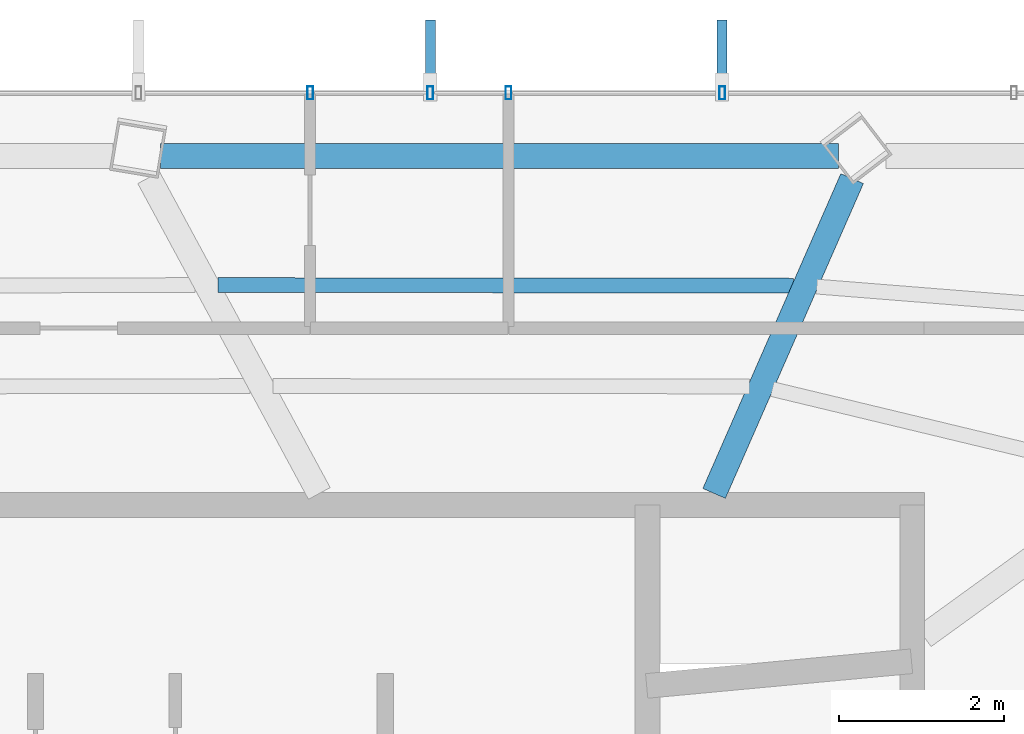
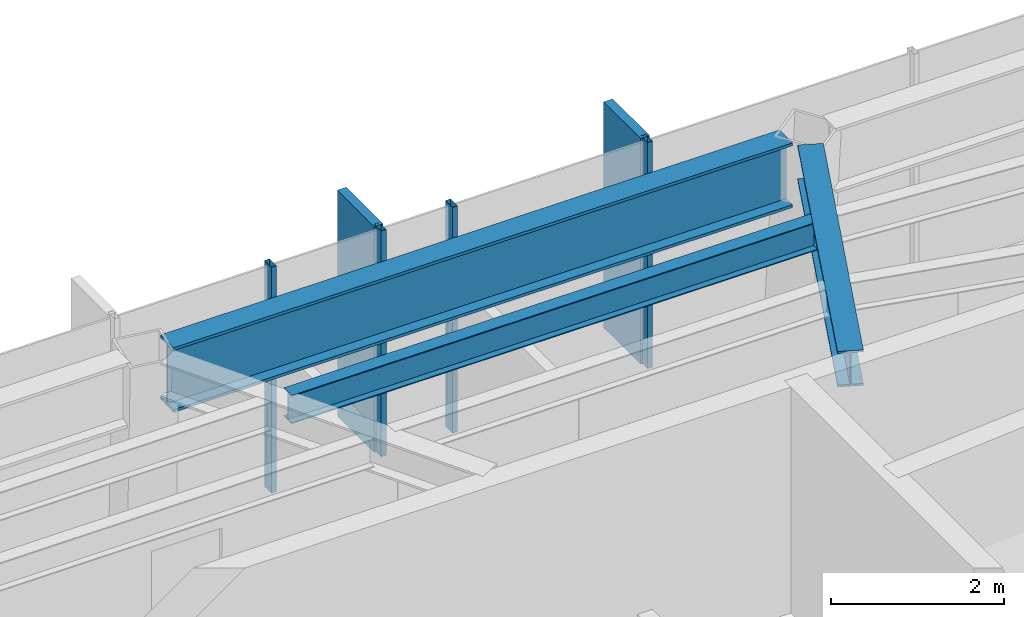
# One storey, part 15 of 27: 6 members, 3 beams, 1 element without a shape of its own.
"""IFC4 building model written with IfcOpenShell, lengths in metres."""

from ifc_helpers import new_model, si_unit, direction, frame, origin, origin_2d, place, context, subcontext, project, spatial, rectangle, hollow_rectangle, i_section, extrude, material, layer, layer_set, material_profile, profile_set, type_object, element, aggregate, save


model = new_model("IFC4")

# Units and contexts
model_context = context("Model", 3, precision=1e-05, world=origin(), true_north=direction((0.0, 1.0)))
body_context = subcontext(model_context, "Body", "Model", "MODEL_VIEW")
ifc_project = project(units=[si_unit("LENGTHUNIT", "METRE"), si_unit("AREAUNIT", "SQUARE_METRE"), si_unit("VOLUMEUNIT", "CUBIC_METRE"), si_unit("PLANEANGLEUNIT", "RADIAN"), si_unit("MASSUNIT", "GRAM", prefix="KILO")], contexts=[model_context])

# Site, building, storey
site_placement = place(None, origin())
site = spatial("IfcSite", under=ifc_project, at=site_placement, CompositionType="ELEMENT")
building_placement = place(site_placement, origin())
building = spatial("IfcBuilding", under=site, at=building_placement, Name="Zarrinselat Tower", CompositionType="ELEMENT")
storey_placement = place(building_placement, frame((0.0, 0.0, 215.56005859375)))
storey = spatial("IfcBuildingStorey", under=building, at=storey_placement, Name="L53", CompositionType="ELEMENT", Elevation=215.56005859375)

# Beams
ifc_material_1 = material(Name="Steel S355J2", Category="steel")
ifc_material_profile_1 = material_profile(ifc_material_1, i_section(OverallWidth=0.300048828125, OverallDepth=0.5, WebThickness=0.014404296875, FlangeThickness=0.028076171875, at=origin_2d()), Name="HEB 500")
ifc_profile_set_1 = profile_set([ifc_material_profile_1], Name="Steel S355J2")
beam_type_1 = type_object("IfcBeamType", Name="BM-HEB500", PredefinedType="BEAM", material=ifc_profile_set_1)
beam_1_placement = place(storey_placement, frame((45.800048828125, 43.5400390625, 2.929931640625), z_axis=(0.401477560637, 0.915868859775, 0.0), x_axis=(-0.915868859775, 0.401477560637, 0.0)))
element("IfcBeam", 1, at=beam_1_placement, inside=storey, type_object=beam_type_1, Name="L53 Radial Primary Girder RG02", PredefinedType="BEAM", context=body_context, shape_type="SweptSolid", body=[
    extrude(i_section(OverallWidth=0.300048828125, OverallDepth=0.5, WebThickness=0.014404296875, FlangeThickness=0.028076171875, at=origin_2d()), origin(), (0.0, 0.0, 1.0), 4.179443359375),
])
ifc_material_2 = material(Name="Steel S460M", Category="steel")
ifc_material_profile_2 = material_profile(ifc_material_2, i_section(OverallWidth=0.302001953125, OverallDepth=0.909912109375, WebThickness=0.02099609375, FlangeThickness=0.0400390625, at=origin_2d()), Name="HEM 900")
ifc_profile_set_2 = profile_set([ifc_material_profile_2], Name="Steel S460M")
beam_type_2 = type_object("IfcBeamType", Name="BM-HEM900", PredefinedType="BEAM", material=ifc_profile_set_2)
beam_2_placement = place(storey_placement, frame((39.0703125, 47.644287109375, 2.724853515625), z_axis=(1.0, 0.0, 0.0), x_axis=(0.0, 1.0, 0.0)))
element("IfcBeam", 2, at=beam_2_placement, inside=storey, type_object=beam_type_2, Name="L53 Perimeter Spandrel Girder SP02", PredefinedType="BEAM", context=body_context, shape_type="SweptSolid", body=[
    extrude(i_section(OverallWidth=0.302001953125, OverallDepth=0.909912109375, WebThickness=0.02099609375, FlangeThickness=0.0400390625, at=origin_2d()), origin(), (0.0, 0.0, 1.0), 8.240966796875),
])
ifc_material_3 = material(Name="Steel S355J2", Category="steel")
ifc_material_profile_3 = material_profile(ifc_material_3, i_section(OverallWidth=0.179931640625, OverallDepth=0.39990234375, WebThickness=0.008544921875, FlangeThickness=0.013427734375, at=origin_2d()), Name="IPE 400")
ifc_profile_set_3 = profile_set([ifc_material_profile_3], Name="Steel S355J2")
beam_type_3 = type_object("IfcBeamType", Name="BM-IPE400", PredefinedType="JOIST", material=ifc_profile_set_3)
beam_3_placement = place(storey_placement, frame((39.771240234375, 46.073486328125, 2.97998046875), z_axis=(0.99999948796, -0.001011968634, 0.0), x_axis=(0.001011968634, 0.99999948796, 0.0)))
element("IfcBeam", 3, at=beam_3_placement, inside=storey, type_object=beam_type_3, Name="L53 Composite Floor Joist 7-1", PredefinedType="JOIST", context=body_context, shape_type="SweptSolid", body=[
    extrude(i_section(OverallWidth=0.179931640625, OverallDepth=0.39990234375, WebThickness=0.008544921875, FlangeThickness=0.013427734375, at=origin_2d()), origin(), (0.0, 0.0, 1.0), 6.996337890625),
])

# Curtain wall, members
ifc_material_4 = material(Name="Extruded Aluminium Alloy EN AW-6063 T6", Category="aluminium")
ifc_layer = layer(ifc_material_4, 0.169921875)
ifc_layer_set = layer_set([ifc_layer], Name="Extruded Aluminium Alloy EN AW-6063 T6")
curtain_wall_type = type_object("IfcCurtainWallType", Name="CWS-RES", PredefinedType="NOTDEFINED", material=ifc_layer_set)
curtain_wall_placement = place(storey_placement, origin())
curtain_wall = element("IfcCurtainWall", 4, at=curtain_wall_placement, inside=storey, type_object=curtain_wall_type, Name="L53 Unitised Curtain Wall CW-L53-E01", PredefinedType="NOTDEFINED")
ifc_material_5 = material(Name="Extruded Aluminium Alloy EN AW-6063 T6", Category="aluminium")
ifc_material_profile_4 = material_profile(ifc_material_5, hollow_rectangle(XDim=0.070068359375, YDim=0.159912109375, WallThickness=0.00390625, at=origin_2d()), Name="RHS 160x70x4")
ifc_profile_set_4 = profile_set([ifc_material_profile_4], Name="Extruded Aluminium Alloy EN AW-6063 T6")
member_type_1 = type_object("IfcMemberType", Name="MEM-CW-MUL2", PredefinedType="MULLION", material=ifc_profile_set_4)
member_1_placement = place(storey_placement, frame((45.897705078125, 48.4111328125, 0.0), z_axis=(0.0, 0.0, 1.0), x_axis=(-1.0, 0.0, 0.0)))
member_1 = element("IfcMember", 5, at=member_1_placement, type_object=member_type_1, Name="CW-L53-E01 Mullion 3", PredefinedType="MULLION", context=body_context, shape_type="SweptSolid", body=[
    extrude(hollow_rectangle(XDim=0.070068359375, YDim=0.159912109375, WallThickness=0.00390625, at=origin_2d()), origin(), (0.0, 0.0, 1.0), 3.179931640625),
])
member_2_placement = place(storey_placement, frame((43.300048828125, 48.4111328125, 0.0), z_axis=(0.0, 0.0, 1.0), x_axis=(-1.0, 0.0, 0.0)))
member_2 = element("IfcMember", 6, at=member_2_placement, type_object=member_type_1, Name="CW-L53-E01 Mullion 4", PredefinedType="MULLION", context=body_context, shape_type="SweptSolid", body=[
    extrude(hollow_rectangle(XDim=0.070068359375, YDim=0.159912109375, WallThickness=0.00390625, at=origin_2d()), origin(), (0.0, 0.0, 1.0), 3.179931640625),
])
member_3_placement = place(storey_placement, frame((42.349853515625, 48.4111328125, 0.0), z_axis=(0.0, 0.0, 1.0), x_axis=(-1.0, 0.0, 0.0)))
member_3 = element("IfcMember", 7, at=member_3_placement, type_object=member_type_1, Name="CW-L53-E01 Mullion 5", PredefinedType="MULLION", context=body_context, shape_type="SweptSolid", body=[
    extrude(hollow_rectangle(XDim=0.070068359375, YDim=0.159912109375, WallThickness=0.00390625, at=origin_2d()), origin(), (0.0, 0.0, 1.0), 3.179931640625),
])
member_4_placement = place(storey_placement, frame((40.88916015625, 48.4111328125, 0.0), z_axis=(0.0, 0.0, 1.0), x_axis=(-1.0, 0.0, 0.0)))
member_4 = element("IfcMember", 8, at=member_4_placement, type_object=member_type_1, Name="CW-L53-E01 Mullion 6", PredefinedType="MULLION", context=body_context, shape_type="SweptSolid", body=[
    extrude(hollow_rectangle(XDim=0.070068359375, YDim=0.159912109375, WallThickness=0.00390625, at=origin_2d()), origin(), (0.0, 0.0, 1.0), 3.179931640625),
])
ifc_material_6 = material(Name="Honed Cream Travertine Stone", Category="masonry")
ifc_material_profile_5 = material_profile(ifc_material_6, rectangle(XDim=0.1201171875, YDim=0.85009765625, at=origin_2d()), Name="FIN 850x120")
ifc_profile_set_5 = profile_set([ifc_material_profile_5], Name="Honed Cream Travertine Stone")
member_type_2 = type_object("IfcMemberType", Name="MEM-STONE-FIN", PredefinedType="USERDEFINED", material=ifc_profile_set_5)
member_5_placement = place(storey_placement, frame((45.897705078125, 48.87109375, 0.0), z_axis=(0.0, 0.0, 1.0), x_axis=(1.0, 0.0, 0.0)))
member_5 = element("IfcMember", 9, at=member_5_placement, type_object=member_type_2, Name="L53 Stone Shading Fin CW-L53-E01-03", ObjectType="FIN", PredefinedType="USERDEFINED", context=body_context, shape_type="SweptSolid", body=[
    extrude(rectangle(XDim=0.1201171875, YDim=0.85009765625, at=origin_2d()), origin(), (0.0, 0.0, 1.0), 3.179931640625),
])
member_6_placement = place(storey_placement, frame((42.349853515625, 48.87109375, 0.0), z_axis=(0.0, 0.0, 1.0), x_axis=(1.0, 0.0, 0.0)))
member_6 = element("IfcMember", 10, at=member_6_placement, type_object=member_type_2, Name="L53 Stone Shading Fin CW-L53-E01-05", ObjectType="FIN", PredefinedType="USERDEFINED", context=body_context, shape_type="SweptSolid", body=[
    extrude(rectangle(XDim=0.1201171875, YDim=0.85009765625, at=origin_2d()), origin(), (0.0, 0.0, 1.0), 3.179931640625),
])
aggregate(curtain_wall, [member_1, member_5, member_2, member_3, member_6, member_4])

save(model, "model.ifc")
